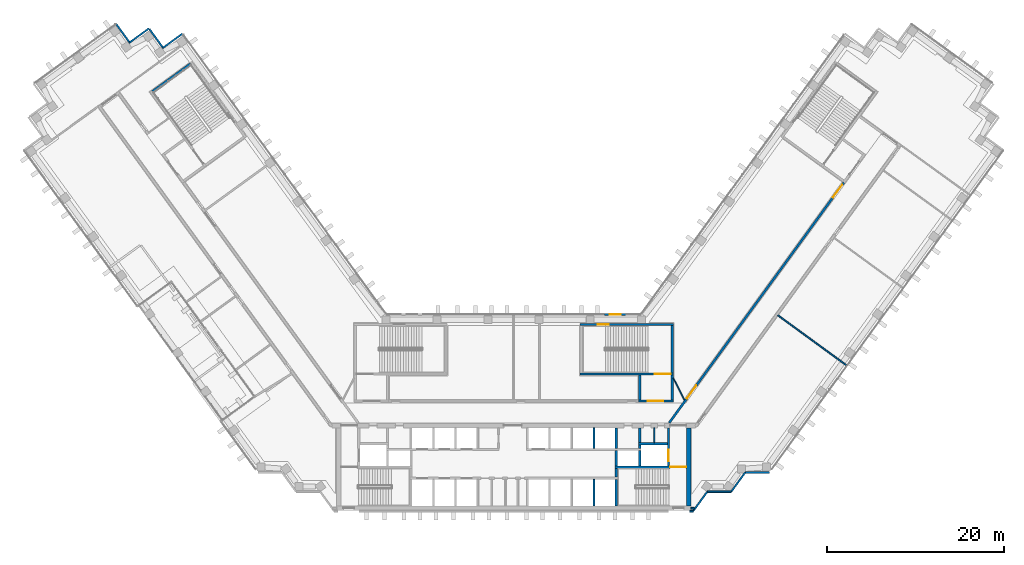
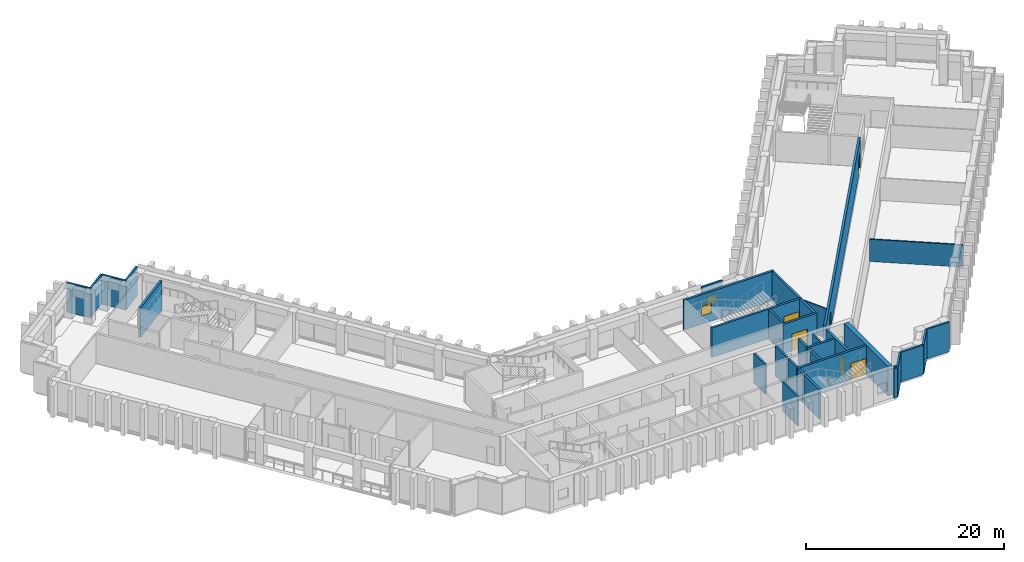
# One storey, part 11 of 16: 35 walls, 6 doors, 2 windows, 8 openings.
"""IFC4 building model written with IfcOpenShell, lengths in metres."""

from ifc_helpers import new_model, si_unit, direction, frame, frame_2d, origin, place, context, subcontext, project, spatial, rectangle, extrude, material, layer, layer_set, type_object, element, fill, save


model = new_model("IFC4")

# Units and contexts
model_context = context("Model", 3, precision=1e-05, world=origin(), true_north=direction((0.0, 1.0)))
body_context = subcontext(model_context, "Body", "Model", "MODEL_VIEW")
ifc_project = project(units=[si_unit("LENGTHUNIT", "METRE"), si_unit("AREAUNIT", "SQUARE_METRE"), si_unit("VOLUMEUNIT", "CUBIC_METRE"), si_unit("PLANEANGLEUNIT", "RADIAN"), si_unit("MASSUNIT", "GRAM", prefix="KILO")], contexts=[model_context])

# Site, building, storey
site_placement = place(None, origin())
site = spatial("IfcSite", under=ifc_project, at=site_placement, CompositionType="ELEMENT")
building_placement = place(site_placement, origin())
building = spatial("IfcBuilding", under=site, at=building_placement, Name="Quipu Civic Tower", CompositionType="ELEMENT")
storey_placement = place(building_placement, frame((0.0, 0.0, 55.0)))
storey = spatial("IfcBuildingStorey", under=building, at=storey_placement, Name="L12", CompositionType="ELEMENT", Elevation=55.0)

# Walls
ifc_material_1 = material(Name="Double gypsum plasterboard with mineral wool")
ifc_layer_1 = layer(ifc_material_1, 0.14990234375)
ifc_layer_set_1 = layer_set([ifc_layer_1], Name="Double gypsum plasterboard with mineral wool")
wall_type_1 = type_object("IfcWallType", Name="Acoustic partition 150 plasterboard", PredefinedType="PARTITIONING", material=ifc_layer_set_1)
wall_1_placement = place(storey_placement, frame((29.792724609375, 11.01220703125, 0.0), z_axis=(0.0, 0.0, 1.0), x_axis=(0.807645841498, -0.589667868135, 0.0)))
element("IfcWall", 1, at=wall_1_placement, inside=storey, type_object=wall_type_1, Name="Partition P08", PredefinedType="PARTITIONING", context=body_context, shape_type="SweptSolid", body=[
    extrude(rectangle(XDim=9.550537109375, YDim=0.14990234375, at=frame_2d((4.775390625, 0.0))), origin(), (0.0, 0.0, 1.0), 2.75),
])
ifc_material_2 = material(Name="Concrete C70/85", Category="concrete")
ifc_layer_2 = layer(ifc_material_2, 0.25)
ifc_layer_set_2 = layer_set([ifc_layer_2], Name="Concrete C70/85")
wall_type_2 = type_object("IfcWallType", Name="Core wall 250", PredefinedType="SHEAR", material=ifc_layer_set_2)
wall_2_placement = place(storey_placement, frame((11.574951171875, -10.5, 0.0), z_axis=(0.0, 0.0, 1.0), x_axis=(0.0, 1.0, 0.0)))
element("IfcWall", 2, at=wall_2_placement, inside=storey, type_object=wall_type_2, Name="Core wall", PredefinedType="SHEAR", context=body_context, shape_type="SweptSolid", body=[
    extrude(rectangle(XDim=3.0, YDim=0.25, at=frame_2d((1.5, 0.0))), origin(), (0.0, 0.0, 1.0), 3.64990234375),
])
wall_3_placement = place(storey_placement, frame((11.574951171875, -7.25, 0.0), z_axis=(0.0, 0.0, 1.0), x_axis=(0.0, 1.0, 0.0)))
element("IfcWall", 3, at=wall_3_placement, inside=storey, type_object=wall_type_2, Name="Core wall", PredefinedType="SHEAR", context=body_context, shape_type="SweptSolid", body=[
    extrude(rectangle(XDim=1.0, YDim=0.25, at=frame_2d((0.5, 0.0))), origin(), (0.0, 0.0, 1.0), 3.64990234375),
])

# Wall, opening, door
wall_4_placement = place(storey_placement, frame((19.5, -6.125, 0.0), z_axis=(0.0, 0.0, 1.0), x_axis=(-1.0, 0.0, 0.0)))
wall_4 = element("IfcWall", 4, at=wall_4_placement, inside=storey, type_object=wall_type_2, Name="Core wall", PredefinedType="SHEAR", context=body_context, shape_type="SweptSolid", body=[
    extrude(rectangle(XDim=8.050048828125, YDim=0.25, at=frame_2d((4.02490234375, 0.0))), origin(), (0.0, 0.0, 1.0), 3.64990234375),
])
opening_1_placement = place(wall_4_placement, frame((0.050048828125, 0.0, 0.0)))
opening_1 = element("IfcOpeningElement", 5, at=opening_1_placement, cuts=wall_4, Name="Opening CD-06", PredefinedType="OPENING", context=body_context, shape_type="SweptSolid", body=[
    extrude(rectangle(XDim=1.800048828125, YDim=2.10009765625, at=frame_2d((0.89990234375, 1.050048828125))), frame((0.0, 0.135009765625, 0.0), z_axis=(0.0, -1.0, 0.0), x_axis=(1.0, 0.0, 0.0)), (0.0, 0.0, 1.0), 0.27001953125),
])
ifc_material_3 = material(Name="Fire rated steel door", Category="steel")
door_type_1 = type_object("IfcDoorType", Name="Fire door FD90 double 1800 x 2100", OperationType="NOTDEFINED", PredefinedType="DOOR", material=ifc_material_3)
door_1_placement = place(opening_1_placement, origin())
door_1 = element("IfcDoor", 6, at=door_1_placement, inside=storey, type_object=door_type_1, Name="Door", OperationType="DOUBLE_DOOR_SINGLE_SWING", OverallHeight=2.10009765625, OverallWidth=1.800048828125, PredefinedType="DOOR", context=body_context, shape_type="SweptSolid", body=[
    extrude(rectangle(XDim=1.800048828125, YDim=2.10009765625, at=frame_2d((0.89990234375, 1.050048828125))), frame((0.0, 0.02490234375, 0.0), z_axis=(0.0, -1.0, 0.0), x_axis=(1.0, 0.0, 0.0)), (0.0, 0.0, 1.0), 0.050048828125),
])
fill(opening_1, door_1)

# Walls
for number, where, z_axis, x_axis, name in (
    (7, (11.574951171875, -6.0, 0.0), (0.0, 0.0, 1.0), (0.0, 1.0, 0.0), "Core wall"),
    (8, (14.22509765625, -6.0, 0.0), (0.0, 0.0, 1.0), (0.0, 1.0, 0.0), "Core wall"),
):
    element("IfcWall", number, at=place(storey_placement, frame(where, z_axis=z_axis, x_axis=x_axis)), inside=storey, type_object=wall_type_2, Name=name, PredefinedType="SHEAR", context=body_context, shape_type="SweptSolid", body=[
        extrude(rectangle(XDim=1.75, YDim=0.25, at=frame_2d((0.875, 0.0))), origin(), (0.0, 0.0, 1.0), 3.64990234375),
    ])

# Wall, opening, door
wall_5_placement = place(storey_placement, frame((17.47509765625, -6.0, 0.0), z_axis=(0.0, 0.0, 1.0), x_axis=(0.0, 1.0, 0.0)))
wall_5 = element("IfcWall", 9, at=wall_5_placement, inside=storey, type_object=wall_type_2, Name="Core wall", PredefinedType="SHEAR", context=body_context, shape_type="SweptSolid", body=[
    extrude(rectangle(XDim=4.300048828125, YDim=0.25, at=frame_2d((2.14990234375, 0.0))), origin(), (0.0, 0.0, 1.0), 3.64990234375),
])
opening_2_placement = place(wall_5_placement, frame((0.550048828125, 0.0, 0.0)))
opening_2 = element("IfcOpeningElement", 10, at=opening_2_placement, cuts=wall_5, Name="Opening LD-FF2", PredefinedType="OPENING", context=body_context, shape_type="SweptSolid", body=[
    extrude(rectangle(XDim=1.300048828125, YDim=2.10009765625, at=frame_2d((0.64990234375, 1.050048828125))), frame((0.0, 0.135009765625, 0.0), z_axis=(0.0, -1.0, 0.0), x_axis=(1.0, 0.0, 0.0)), (0.0, 0.0, 1.0), 0.27001953125),
])
ifc_material_4 = material(Name="Stainless steel", Category="steel")
door_type_2 = type_object("IfcDoorType", Name="Lift landing door 1300 x 2100", OperationType="DOUBLE_DOOR_SLIDING", PredefinedType="DOOR", material=ifc_material_4)
door_2_placement = place(opening_2_placement, origin())
door_2 = element("IfcDoor", 11, at=door_2_placement, inside=storey, type_object=door_type_2, Name="Landing door FF2", OperationType="DOUBLE_DOOR_SLIDING", OverallHeight=2.10009765625, OverallWidth=1.300048828125, PredefinedType="DOOR", context=body_context, shape_type="SweptSolid", body=[
    extrude(rectangle(XDim=1.300048828125, YDim=2.10009765625, at=frame_2d((0.64990234375, 1.050048828125))), frame((0.0, 0.02490234375, 0.0), z_axis=(0.0, -1.0, 0.0), x_axis=(1.0, 0.0, 0.0)), (0.0, 0.0, 1.0), 0.050048828125),
])
fill(opening_2, door_2)

# Walls
wall_6_placement = place(storey_placement, frame((11.574951171875, -4.0, 0.0), z_axis=(0.0, 0.0, 1.0), x_axis=(0.0, 1.0, 0.0)))
element("IfcWall", 12, at=wall_6_placement, inside=storey, type_object=wall_type_2, Name="Core wall", PredefinedType="SHEAR", context=body_context, shape_type="SweptSolid", body=[
    extrude(rectangle(XDim=2.300048828125, YDim=0.25, at=frame_2d((1.14990234375, 0.0))), origin(), (0.0, 0.0, 1.0), 3.64990234375),
])
wall_7_placement = place(storey_placement, frame((14.22509765625, -4.0, 0.0), z_axis=(0.0, 0.0, 1.0), x_axis=(0.0, 1.0, 0.0)))
element("IfcWall", 13, at=wall_7_placement, inside=storey, type_object=wall_type_2, Name="Core wall", PredefinedType="SHEAR", context=body_context, shape_type="SweptSolid", body=[
    extrude(rectangle(XDim=0.39990234375, YDim=0.25, at=frame_2d((0.199951171875, 0.0))), origin(), (0.0, 0.0, 1.0), 3.64990234375),
])
wall_8_placement = place(storey_placement, frame((14.10009765625, -3.47509765625, 0.0), z_axis=(0.0, 0.0, 1.0), x_axis=(1.0, 0.0, 0.0)))
element("IfcWall", 14, at=wall_8_placement, inside=storey, type_object=wall_type_2, Name="Core wall", PredefinedType="SHEAR", context=body_context, shape_type="SweptSolid", body=[
    extrude(rectangle(XDim=3.25, YDim=0.25, at=frame_2d((1.625, 0.0))), origin(), (0.0, 0.0, 1.0), 3.64990234375),
])
wall_9_placement = place(storey_placement, frame((14.22509765625, -3.35009765625, 0.0), z_axis=(0.0, 0.0, 1.0), x_axis=(0.0, 1.0, 0.0)))
element("IfcWall", 15, at=wall_9_placement, inside=storey, type_object=wall_type_2, Name="Core wall", PredefinedType="SHEAR", context=body_context, shape_type="SweptSolid", body=[
    extrude(rectangle(XDim=1.650146484375, YDim=0.25, at=frame_2d((0.8251953125, 0.0))), origin(), (0.0, 0.0, 1.0), 3.64990234375),
])

# Wall, opening, door
wall_10_placement = place(storey_placement, frame((14.10009765625, 1.324951171875, 0.0), z_axis=(0.0, 0.0, 1.0), x_axis=(1.0, 0.0, 0.0)))
wall_10 = element("IfcWall", 16, at=wall_10_placement, inside=storey, type_object=wall_type_2, Name="Core wall", PredefinedType="SHEAR", context=body_context, shape_type="SweptSolid", body=[
    extrude(rectangle(XDim=3.89990234375, YDim=0.25, at=frame_2d((1.949951171875, 0.0))), origin(), (0.0, 0.0, 1.0), 3.64990234375),
])
opening_3_placement = place(wall_10_placement, frame((1.0, 0.0, 0.0)))
opening_3 = element("IfcOpeningElement", 17, at=opening_3_placement, cuts=wall_10, Name="Opening CD-18", PredefinedType="OPENING", context=body_context, shape_type="SweptSolid", body=[
    extrude(rectangle(XDim=1.800048828125, YDim=2.10009765625, at=frame_2d((0.89990234375, 1.050048828125))), frame((0.0, 0.135009765625, 0.0), z_axis=(0.0, -1.0, 0.0), x_axis=(1.0, 0.0, 0.0)), (0.0, 0.0, 1.0), 0.27001953125),
])
door_3_placement = place(opening_3_placement, origin())
door_3 = element("IfcDoor", 18, at=door_3_placement, inside=storey, type_object=door_type_1, Name="Lobby door", OperationType="DOUBLE_DOOR_SINGLE_SWING", OverallHeight=2.10009765625, OverallWidth=1.800048828125, PredefinedType="DOOR", context=body_context, shape_type="SweptSolid", body=[
    extrude(rectangle(XDim=1.800048828125, YDim=2.10009765625, at=frame_2d((0.89990234375, 1.050048828125))), frame((0.0, 0.02490234375, 0.0), z_axis=(0.0, -1.0, 0.0), x_axis=(1.0, 0.0, 0.0)), (0.0, 0.0, 1.0), 0.050048828125),
])
fill(opening_3, door_3)

# Walls
for number, where, z_axis, x_axis, name in (
    (19, (14.22509765625, 1.449951171875, 0.0), (0.0, 0.0, 1.0), (0.0, 1.0, 0.0), "Core wall"),
    (20, (17.875, 1.449951171875, 0.0), (0.0, 0.0, 1.0), (0.0, 1.0, 0.0), "Core wall"),
):
    element("IfcWall", number, at=place(storey_placement, frame(where, z_axis=z_axis, x_axis=x_axis)), inside=storey, type_object=wall_type_2, Name=name, PredefinedType="SHEAR", context=body_context, shape_type="SweptSolid", body=[
        extrude(rectangle(XDim=2.800048828125, YDim=0.25, at=frame_2d((1.39990234375, 0.0))), origin(), (0.0, 0.0, 1.0), 3.64990234375),
    ])

# Wall, opening, door
wall_11_placement = place(storey_placement, frame((7.5, 4.375, 0.0), z_axis=(0.0, 0.0, 1.0), x_axis=(1.0, 0.0, 0.0)))
wall_11 = element("IfcWall", 21, at=wall_11_placement, inside=storey, type_object=wall_type_2, Name="Core wall", PredefinedType="SHEAR", context=body_context, shape_type="SweptSolid", body=[
    extrude(rectangle(XDim=10.5, YDim=0.25, at=frame_2d((5.25, 0.0))), origin(), (0.0, 0.0, 1.0), 3.64990234375),
])
opening_4_placement = place(wall_11_placement, frame((8.39990234375, 0.0, 0.0)))
opening_4 = element("IfcOpeningElement", 22, at=opening_4_placement, cuts=wall_11, Name="Opening CD-19", PredefinedType="OPENING", context=body_context, shape_type="SweptSolid", body=[
    extrude(rectangle(XDim=1.800048828125, YDim=2.10009765625, at=frame_2d((0.89990234375, 1.050048828125))), frame((0.0, 0.135009765625, 0.0), z_axis=(0.0, -1.0, 0.0), x_axis=(1.0, 0.0, 0.0)), (0.0, 0.0, 1.0), 0.27001953125),
])
door_4_placement = place(opening_4_placement, origin())
door_4 = element("IfcDoor", 23, at=door_4_placement, inside=storey, type_object=door_type_1, Name="Door", OperationType="DOUBLE_DOOR_SINGLE_SWING", OverallHeight=2.10009765625, OverallWidth=1.800048828125, PredefinedType="DOOR", context=body_context, shape_type="SweptSolid", body=[
    extrude(rectangle(XDim=1.800048828125, YDim=2.10009765625, at=frame_2d((0.89990234375, 1.050048828125))), frame((0.0, 0.02490234375, 0.0), z_axis=(0.0, -1.0, 0.0), x_axis=(1.0, 0.0, 0.0)), (0.0, 0.0, 1.0), 0.050048828125),
])
fill(opening_4, door_4)

# Wall
wall_12_placement = place(storey_placement, frame((17.875, 4.5, 0.0), z_axis=(0.0, 0.0, 1.0), x_axis=(0.0, 1.0, 0.0)))
element("IfcWall", 24, at=wall_12_placement, inside=storey, type_object=wall_type_2, Name="Core wall", PredefinedType="SHEAR", context=body_context, shape_type="SweptSolid", body=[
    extrude(rectangle(XDim=5.35009765625, YDim=0.25, at=frame_2d((2.675048828125, 0.0))), origin(), (0.0, 0.0, 1.0), 3.64990234375),
])

# Wall, opening, window
wall_13_placement = place(storey_placement, frame((7.5, 9.97509765625, 0.0), z_axis=(0.0, 0.0, 1.0), x_axis=(1.0, 0.0, 0.0)))
wall_13 = element("IfcWall", 25, at=wall_13_placement, inside=storey, type_object=wall_type_2, Name="Core wall", PredefinedType="SHEAR", context=body_context, shape_type="SweptSolid", body=[
    extrude(rectangle(XDim=10.5, YDim=0.25, at=frame_2d((5.25, 0.0))), origin(), (0.0, 0.0, 1.0), 3.64990234375),
])
opening_5_placement = place(wall_13_placement, frame((2.0, 0.0, 1.0)))
opening_5 = element("IfcOpeningElement", 26, at=opening_5_placement, cuts=wall_13, Name="Opening SV-4", PredefinedType="OPENING", context=body_context, shape_type="SweptSolid", body=[
    extrude(rectangle(XDim=1.199951171875, YDim=1.199951171875, at=frame_2d((0.60009765625, 0.60009765625))), frame((0.0, 0.135009765625, 0.0), z_axis=(0.0, -1.0, 0.0), x_axis=(1.0, 0.0, 0.0)), (0.0, 0.0, 1.0), 0.27001953125),
])
ifc_material_5 = material(Name="Aluminium louvre", Category="aluminium")
window_type_1 = type_object("IfcWindowType", Name="Stair ventilation louvre 1200 x 1200", PartitioningType="SINGLE_PANEL", PredefinedType="WINDOW", material=ifc_material_5)
window_1_placement = place(opening_5_placement, origin())
window_1 = element("IfcWindow", 27, at=window_1_placement, inside=storey, type_object=window_type_1, Name="Stair ventilation opening", OverallHeight=1.199951171875, OverallWidth=1.199951171875, PartitioningType="SINGLE_PANEL", PredefinedType="WINDOW", context=body_context, shape_type="SweptSolid", body=[
    extrude(rectangle(XDim=1.199951171875, YDim=1.199951171875, at=frame_2d((0.60009765625, 0.60009765625))), frame((0.0, 0.030029296875, 0.0), z_axis=(0.0, -1.0, 0.0), x_axis=(1.0, 0.0, 0.0)), (0.0, 0.0, 1.0), 0.06005859375),
])
fill(opening_5, window_1)

# Walls
wall_14_placement = place(storey_placement, frame((-36.43896484375, 39.384033203125, 0.0), z_axis=(0.0, 0.0, 1.0), x_axis=(-0.809020161303, -0.587780893365, 0.0)))
element("IfcWall", 28, at=wall_14_placement, inside=storey, type_object=wall_type_2, Name="Core wall", PredefinedType="SHEAR", context=body_context, shape_type="SweptSolid", body=[
    extrude(rectangle(XDim=5.349853515625, YDim=0.25, at=frame_2d((2.6748046875, 0.0))), origin(), (0.0, 0.0, 1.0), 3.64990234375),
])
ifc_material_6 = material(Name="Concrete C70/85", Category="concrete")
ifc_layer_3 = layer(ifc_material_6, 0.5)
ifc_layer_set_3 = layer_set([ifc_layer_3], Name="Concrete C70/85")
wall_type_3 = type_object("IfcWallType", Name="Core wall 500", PredefinedType="SHEAR", material=ifc_layer_set_3)
wall_15_placement = place(storey_placement, frame((19.75, -10.5, 0.0), z_axis=(0.0, 0.0, 1.0), x_axis=(0.0, 1.0, 0.0)))
element("IfcWall", 29, at=wall_15_placement, inside=storey, type_object=wall_type_3, Name="Core wall", PredefinedType="SHEAR", context=body_context, shape_type="SweptSolid", body=[
    extrude(rectangle(XDim=8.800048828125, YDim=0.5, at=frame_2d((4.39990234375, 0.0))), origin(), (0.0, 0.0, 1.0), 3.64990234375),
])

# Wall, openings, doors
ifc_material_7 = material(Name="Concrete C50/60", Category="concrete")
ifc_layer_4 = layer(ifc_material_7, 0.25)
ifc_layer_set_4 = layer_set([ifc_layer_4], Name="Concrete C50/60")
wall_type_4 = type_object("IfcWallType", Name="Corridor wall 250 concrete", PredefinedType="SOLIDWALL", material=ifc_layer_set_4)
wall_16_placement = place(storey_placement, frame((17.544921875, -1.124755859375, 0.0), z_axis=(0.0, 0.0, 1.0), x_axis=(0.587786323093, 0.809016216391, 0.0)))
wall_16 = element("IfcWall", 30, at=wall_16_placement, inside=storey, type_object=wall_type_4, Name="Corridor wall C06", PredefinedType="SOLIDWALL", context=body_context, shape_type="SweptSolid", body=[
    extrude(rectangle(XDim=33.4931640625, YDim=0.25, at=frame_2d((16.74658203125, 0.0))), origin(), (0.0, 0.0, 1.0), 3.64990234375),
])
opening_6_placement = place(wall_16_placement, frame((31.402587890625, 0.0, 0.0)))
opening_6 = element("IfcOpeningElement", 31, at=opening_6_placement, cuts=wall_16, Name="Opening D001", PredefinedType="OPENING", context=body_context, shape_type="SweptSolid", body=[
    extrude(rectangle(XDim=1.800048828125, YDim=2.10009765625, at=frame_2d((0.89990234375, 1.050048828125))), frame((0.0, 0.135009765625, 0.0), z_axis=(0.0, -1.0, 0.0), x_axis=(1.0, 0.0, 0.0)), (0.0, 0.0, 1.0), 0.27001953125),
])
opening_7_placement = place(wall_16_placement, frame((3.39208984375, 0.0, 0.0)))
opening_7 = element("IfcOpeningElement", 32, at=opening_7_placement, cuts=wall_16, Name="Opening D002", PredefinedType="OPENING", context=body_context, shape_type="SweptSolid", body=[
    extrude(rectangle(XDim=1.800048828125, YDim=2.10009765625, at=frame_2d((0.89990234375, 1.050048828125))), frame((0.0, 0.135009765625, 0.0), z_axis=(0.0, -1.0, 0.0), x_axis=(1.0, 0.0, 0.0)), (0.0, 0.0, 1.0), 0.27001953125),
])
ifc_material_8 = material(Name="Fire rated timber door set with metal frame", Category="wood")
door_type_3 = type_object("IfcDoorType", Name="Double door 1800 x 2100 FD60", OperationType="DOUBLE_DOOR_SINGLE_SWING", PredefinedType="DOOR", material=ifc_material_8)
door_5_placement = place(opening_6_placement, origin())
door_5 = element("IfcDoor", 33, at=door_5_placement, inside=storey, type_object=door_type_3, Name="Door D001", OperationType="DOUBLE_DOOR_SINGLE_SWING", OverallHeight=2.10009765625, OverallWidth=1.800048828125, PredefinedType="DOOR", context=body_context, shape_type="SweptSolid", body=[
    extrude(rectangle(XDim=1.800048828125, YDim=2.10009765625, at=frame_2d((0.89990234375, 1.050048828125))), frame((0.0, 0.02490234375, 0.0), z_axis=(0.0, -1.0, 0.0), x_axis=(1.0, 0.0, 0.0)), (0.0, 0.0, 1.0), 0.050048828125),
])
fill(opening_6, door_5)
door_6_placement = place(opening_7_placement, origin())
door_6 = element("IfcDoor", 34, at=door_6_placement, inside=storey, type_object=door_type_3, Name="Door D002", OperationType="DOUBLE_DOOR_SINGLE_SWING", OverallHeight=2.10009765625, OverallWidth=1.800048828125, PredefinedType="DOOR", context=body_context, shape_type="SweptSolid", body=[
    extrude(rectangle(XDim=1.800048828125, YDim=2.10009765625, at=frame_2d((0.89990234375, 1.050048828125))), frame((0.0, 0.02490234375, 0.0), z_axis=(0.0, -1.0, 0.0), x_axis=(1.0, 0.0, 0.0)), (0.0, 0.0, 1.0), 0.050048828125),
])
fill(opening_7, door_6)

# Walls
ifc_material_9 = material(Name="Gypsum plasterboard on light gauge framing")
ifc_layer_5 = layer(ifc_material_9, 0.1201171875)
ifc_layer_set_5 = layer_set([ifc_layer_5], Name="Gypsum plasterboard on light gauge framing")
wall_type_5 = type_object("IfcWallType", Name="Partition 120 plasterboard", PredefinedType="PARTITIONING", material=ifc_layer_set_5)
wall_17_placement = place(storey_placement, frame((18.0, 3.925048828125, 0.0), z_axis=(0.0, 0.0, 1.0), x_axis=(0.453950796792, -0.891026752736, 0.0)))
element("IfcWall", 35, at=wall_17_placement, inside=storey, type_object=wall_type_5, Name="Partition P14", PredefinedType="PARTITIONING", context=body_context, shape_type="SweptSolid", body=[
    extrude(rectangle(XDim=2.77783203125, YDim=0.1201171875, at=frame_2d((1.388916015625, 0.0))), origin(), (0.0, 0.0, 1.0), 3.64990234375),
])
ifc_material_10 = material(Name="Gypsum board partition")
ifc_layer_6 = layer(ifc_material_10, 0.14990234375)
ifc_layer_set_6 = layer_set([ifc_layer_6], Name="Gypsum board partition")
wall_type_6 = type_object("IfcWallType", Name="Partition 150", PredefinedType="PARTITIONING", material=ifc_layer_set_6)
wall_18_placement = place(storey_placement, frame((15.85009765625, -3.35009765625, 0.0), z_axis=(0.0, 0.0, 1.0), x_axis=(0.0, 1.0, 0.0)))
element("IfcWall", 36, at=wall_18_placement, inside=storey, type_object=wall_type_6, Name="Partition", PredefinedType="PARTITIONING", context=body_context, shape_type="SweptSolid", body=[
    extrude(rectangle(XDim=1.650146484375, YDim=0.14990234375, at=frame_2d((0.8251953125, 0.0))), origin(), (0.0, 0.0, 1.0), 3.64990234375),
])
ifc_material_11 = material(Name="Precast concrete C40/50", Category="concrete")
wall_type_7 = type_object("IfcWallType", Name="Precast cladding wall", PredefinedType="SOLIDWALL", material=ifc_material_11)
wall_19_placement = place(storey_placement, frame((-37.352783203125, 42.768310546875, 0.0), z_axis=(0.0, 0.0, 1.0), x_axis=(-0.809033161865, -0.587762999008, 0.0)))
element("IfcWall", 37, at=wall_19_placement, inside=storey, type_object=wall_type_7, Name="Precast cladding wall L12 11", PredefinedType="SOLIDWALL", context=body_context, shape_type="SweptSolid", body=[
    extrude(rectangle(XDim=2.699951171875, YDim=0.199951171875, at=frame_2d((1.35009765625, 0.0))), origin(), (0.0, 0.0, 1.0), 3.64990234375),
])
wall_20_placement = place(storey_placement, frame((-39.488037109375, 41.093505859375, 0.0), z_axis=(0.0, 0.0, 1.0), x_axis=(-0.587806000234, 0.809001919707, 0.0)))
element("IfcWall", 38, at=wall_20_placement, inside=storey, type_object=wall_type_7, Name="Precast cladding wall L12 12", PredefinedType="SOLIDWALL", context=body_context, shape_type="SweptSolid", body=[
    extrude(rectangle(XDim=2.69970703125, YDim=0.199951171875, at=frame_2d((1.349853515625, 0.0))), origin(), (0.0, 0.0, 1.0), 3.64990234375),
])
for number, where, z_axis, x_axis, name in (
    (39, (-41.1240234375, 43.36572265625, 0.0), (0.0, 0.0, 1.0), (-0.809033161865, -0.587762999008, 0.0), "Precast cladding wall L12 13"),
    (40, (-43.25927734375, 41.690673828125, 0.0), (0.0, 0.0, 1.0), (-0.587822180636, 0.808990163075, 0.0), "Precast cladding wall L12 14"),
):
    element("IfcWall", number, at=place(storey_placement, frame(where, z_axis=z_axis, x_axis=x_axis)), inside=storey, type_object=wall_type_7, Name=name, PredefinedType="SOLIDWALL", context=body_context, shape_type="SweptSolid", body=[
        extrude(rectangle(XDim=2.699951171875, YDim=0.199951171875, at=frame_2d((1.35009765625, 0.0))), origin(), (0.0, 0.0, 1.0), 3.64990234375),
    ])
wall_21_placement = place(storey_placement, frame((19.85009765625, -11.087890625, 0.0), z_axis=(0.0, 0.0, 1.0), x_axis=(1.0, 0.0, 0.0)))
element("IfcWall", 41, at=wall_21_placement, inside=storey, type_object=wall_type_7, Name="Precast cladding wall L12 21", PredefinedType="SOLIDWALL", context=body_context, shape_type="SweptSolid", body=[
    extrude(rectangle(XDim=0.40576171875, YDim=0.199951171875, at=frame_2d((0.202880859375, 0.0))), origin(), (0.0, 0.0, 1.0), 3.64990234375),
])
wall_22_placement = place(storey_placement, frame((20.253173828125, -11.083251953125, 0.0), z_axis=(0.0, 0.0, 1.0), x_axis=(0.587766567315, 0.809030569476, 0.0)))
element("IfcWall", 42, at=wall_22_placement, inside=storey, type_object=wall_type_7, Name="Precast cladding wall L12 22", PredefinedType="SOLIDWALL", context=body_context, shape_type="SweptSolid", body=[
    extrude(rectangle(XDim=2.687744140625, YDim=0.199951171875, at=frame_2d((1.34375, 0.0))), origin(), (0.0, 0.0, 1.0), 3.64990234375),
])
wall_23_placement = place(storey_placement, frame((21.8427734375, -8.90380859375, 0.0), z_axis=(0.0, 0.0, 1.0), x_axis=(1.0, 0.0, 0.0)))
element("IfcWall", 43, at=wall_23_placement, inside=storey, type_object=wall_type_7, Name="Precast cladding wall L12 23", PredefinedType="SOLIDWALL", context=body_context, shape_type="SweptSolid", body=[
    extrude(rectangle(XDim=2.699951171875, YDim=0.199951171875, at=frame_2d((1.35009765625, 0.0))), origin(), (0.0, 0.0, 1.0), 3.64990234375),
])
wall_24_placement = place(storey_placement, frame((24.533203125, -8.90869140625, 0.0), z_axis=(0.0, 0.0, 1.0), x_axis=(0.587720002413, 0.809064397168, 0.0)))
element("IfcWall", 44, at=wall_24_placement, inside=storey, type_object=wall_type_7, Name="Precast cladding wall L12 24", PredefinedType="SOLIDWALL", context=body_context, shape_type="SweptSolid", body=[
    extrude(rectangle(XDim=2.7001953125, YDim=0.199951171875, at=frame_2d((1.35009765625, 0.0))), origin(), (0.0, 0.0, 1.0), 3.64990234375),
])
wall_25_placement = place(storey_placement, frame((26.1298828125, -6.71923828125, 0.0), z_axis=(0.0, 0.0, 1.0), x_axis=(1.0, 0.0, 0.0)))
element("IfcWall", 45, at=wall_25_placement, inside=storey, type_object=wall_type_7, Name="Precast cladding wall L12 25", PredefinedType="SOLIDWALL", context=body_context, shape_type="SweptSolid", body=[
    extrude(rectangle(XDim=2.699951171875, YDim=0.199951171875, at=frame_2d((1.35009765625, 0.0))), origin(), (0.0, 0.0, 1.0), 3.64990234375),
])

# Wall, opening, window
wall_26_placement = place(storey_placement, frame((12.655029296875, 11.10009765625, 0.0), z_axis=(0.0, 0.0, 1.0), x_axis=(-1.0, 0.0, 0.0)))
wall_26 = element("IfcWall", 46, at=wall_26_placement, inside=storey, type_object=wall_type_7, Name="Vent surround SF-L12-2", PredefinedType="SOLIDWALL", context=body_context, shape_type="SweptSolid", body=[
    extrude(rectangle(XDim=2.3916015625, YDim=0.199951171875, at=frame_2d((1.19580078125, 0.0))), origin(), (0.0, 0.0, 1.0), 3.64990234375),
])
opening_8_placement = place(wall_26_placement, frame((0.595703125, 0.0, 1.0)))
opening_8 = element("IfcOpeningElement", 47, at=opening_8_placement, cuts=wall_26, Name="Opening SF-L12-2", PredefinedType="OPENING", context=body_context, shape_type="SweptSolid", body=[
    extrude(rectangle(XDim=1.199951171875, YDim=1.199951171875, at=frame_2d((0.60009765625, 0.60009765625))), frame((0.0, 0.10986328125, 0.0), z_axis=(0.0, -1.0, 0.0), x_axis=(1.0, 0.0, 0.0)), (0.0, 0.0, 1.0), 0.219970703125),
])
ifc_material_12 = material(Name="Anodised aluminium louvre", Category="aluminium")
window_type_2 = type_object("IfcWindowType", Name="Stair vent louvre window P3", PartitioningType="SINGLE_PANEL", PredefinedType="WINDOW", material=ifc_material_12)
window_2_placement = place(opening_8_placement, origin())
window_2 = element("IfcWindow", 48, at=window_2_placement, inside=storey, type_object=window_type_2, Name="Stair vent louvre SF-L12-2", OverallHeight=1.199951171875, OverallWidth=1.199951171875, PartitioningType="SINGLE_PANEL", PredefinedType="WINDOW", context=body_context, shape_type="SweptSolid", body=[
    extrude(rectangle(XDim=1.199951171875, YDim=1.199951171875, at=frame_2d((0.60009765625, 0.60009765625))), frame((0.0, 0.030029296875, 0.0), z_axis=(0.0, -1.0, 0.0), x_axis=(1.0, 0.0, 0.0)), (0.0, 0.0, 1.0), 0.06005859375),
])
fill(opening_8, window_2)

# Walls
wall_27_placement = place(storey_placement, frame((19.97998046875, -10.75, 0.0), z_axis=(0.0, 0.0, 1.0), x_axis=(1.0, 0.0, 0.0)))
element("IfcWall", 49, at=wall_27_placement, inside=storey, type_object=wall_type_7, Name="Precast cladding return L12 E", PredefinedType="SOLIDWALL", context=body_context, shape_type="SweptSolid", body=[
    extrude(rectangle(XDim=0.41650390625, YDim=0.199951171875, at=frame_2d((0.208251953125, 0.0))), origin(), (0.0, 0.0, 1.0), 3.64990234375),
])
ifc_material_13 = material(Name="Concrete C40/50", Category="concrete")
ifc_layer_7 = layer(ifc_material_13, 0.199951171875)
ifc_layer_set_7 = layer_set([ifc_layer_7], Name="Concrete C40/50")
wall_type_8 = type_object("IfcWallType", Name="Shaft wall 200", PredefinedType="SOLIDWALL", material=ifc_layer_set_7)
wall_28_placement = place(storey_placement, frame((9.050048828125, -10.5, 0.0), z_axis=(0.0, 0.0, 1.0), x_axis=(0.0, 1.0, 0.0)))
element("IfcWall", 50, at=wall_28_placement, inside=storey, type_object=wall_type_8, Name="Shaft wall", PredefinedType="SOLIDWALL", context=body_context, shape_type="SweptSolid", body=[
    extrude(rectangle(XDim=3.0, YDim=0.199951171875, at=frame_2d((1.5, 0.0))), origin(), (0.0, 0.0, 1.0), 3.64990234375),
])
wall_29_placement = place(storey_placement, frame((9.050048828125, -4.0, 0.0), z_axis=(0.0, 0.0, 1.0), x_axis=(0.0, 1.0, 0.0)))
element("IfcWall", 51, at=wall_29_placement, inside=storey, type_object=wall_type_8, Name="Shaft wall", PredefinedType="SOLIDWALL", context=body_context, shape_type="SweptSolid", body=[
    extrude(rectangle(XDim=2.300048828125, YDim=0.199951171875, at=frame_2d((1.14990234375, 0.0))), origin(), (0.0, 0.0, 1.0), 3.64990234375),
])

save(model, "model.ifc")
